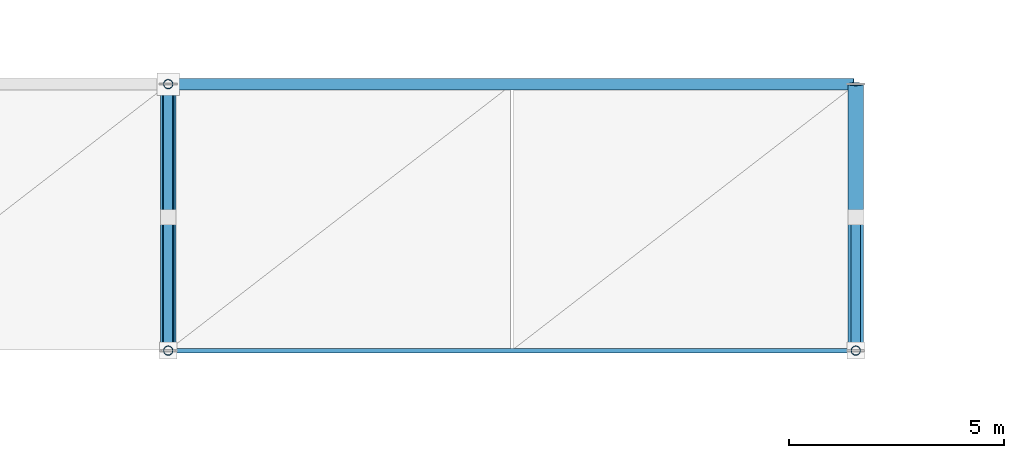
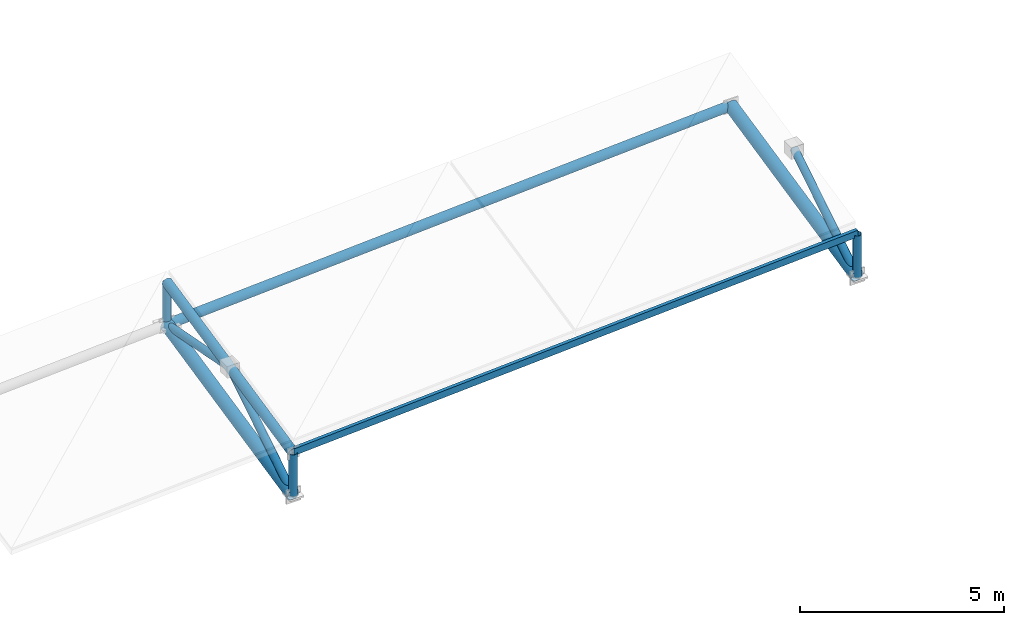
# One storey, part 22 of 83: 8 members, 3 beams.
"""IFC4 building model written with IfcOpenShell, lengths in metres."""

from ifc_helpers import new_model, si_unit, direction, frame, origin, origin_2d, place, context, subcontext, project, spatial, hollow_rectangle, hollow_circle, extrude, material, material_profile, profile_set, type_object, element, save


model = new_model("IFC4")

# Units and contexts
model_context = context("Model", 3, precision=1e-05, world=origin(), true_north=direction((0.0, 1.0)))
body_context = subcontext(model_context, "Body", "Model", "MODEL_VIEW")
ifc_project = project(units=[si_unit("LENGTHUNIT", "METRE"), si_unit("AREAUNIT", "SQUARE_METRE"), si_unit("VOLUMEUNIT", "CUBIC_METRE"), si_unit("PLANEANGLEUNIT", "RADIAN"), si_unit("MASSUNIT", "GRAM", prefix="KILO")], contexts=[model_context])

# Site, building, storey
site_placement = place(None, origin())
site = spatial("IfcSite", under=ifc_project, at=site_placement, CompositionType="ELEMENT")
building_placement = place(site_placement, origin())
building = spatial("IfcBuilding", under=site, at=building_placement, Name="Drelvath Fold Interchange", CompositionType="ELEMENT")
storey_placement = place(building_placement, frame((0.0, 0.0, 11.199951171875)))
storey = spatial("IfcBuildingStorey", under=building, at=storey_placement, Name="L02", CompositionType="ELEMENT", Elevation=11.199951171875)

# Members
ifc_material = material(Name="Steel ASTM A500 Grade C", Category="steel")
ifc_material_profile_1 = material_profile(ifc_material, hollow_rectangle(XDim=0.10205078125, YDim=0.202880859375, WallThickness=0.00732421875, at=origin_2d()), Name="HSS8X4X5/16")
ifc_profile_set_1 = profile_set([ifc_material_profile_1], Name="Steel ASTM A500 Grade C")
member_type_1 = type_object("IfcMemberType", Name="PR-HSS203", PredefinedType="PURLIN", material=ifc_profile_set_1)
member_1_placement = place(storey_placement, frame((68.0, 20.800048828125, 3.443115234375), z_axis=(0.998197699277, 0.0, 0.060011275256), x_axis=(0.0, 1.0, 0.0)))
element("IfcMember", 1, at=member_1_placement, inside=storey, type_object=member_type_1, Name="L02 Space frame canopy purlin PR-HSS203", PredefinedType="PURLIN", context=body_context, shape_type="SweptSolid", body=[
    extrude(hollow_rectangle(XDim=0.10205078125, YDim=0.202880859375, WallThickness=0.00732421875, at=origin_2d()), origin(), (0.0, 0.0, 1.0), 16.02880859375),
])
ifc_material_profile_2 = material_profile(ifc_material, hollow_circle(Radius=0.136474609375, WallThickness=0.01171875, at=origin_2d()), Name="HSS10.750X0.500")
ifc_profile_set_2 = profile_set([ifc_material_profile_2], Name="Steel ASTM A500 Grade C")
member_type_2 = type_object("IfcMemberType", Name="SF-CHD273", PredefinedType="CHORD", material=ifc_profile_set_2)
member_2_placement = place(storey_placement, frame((68.0, 20.800048828125, 3.4111328125), z_axis=(0.0, 0.977077639885, 0.212883267631), x_axis=(-1.0, 0.0, 0.0)))
element("IfcMember", 2, at=member_2_placement, inside=storey, type_object=member_type_2, Name="L02 Space frame roof truss upper chord SF-CHD273", PredefinedType="CHORD", context=body_context, shape_type="SweptSolid", body=[
    extrude(hollow_circle(Radius=0.136474609375, WallThickness=0.01171875, at=origin_2d()), origin(), (0.0, 0.0, 1.0), 6.345458984375),
])

# Beams
ifc_material_profile_3 = material_profile(ifc_material, hollow_circle(Radius=0.177978515625, WallThickness=0.01171875, at=origin_2d()), Name="HSS14.000X0.500")
ifc_profile_set_3 = profile_set([ifc_material_profile_3], Name="Steel ASTM A500 Grade C")
beam_type_1 = type_object("IfcBeamType", Name="SF-RIB356", PredefinedType="BEAM", material=ifc_profile_set_3)
for number, where, z_axis, x_axis, name in (
    (3, (68.0, 20.800048828125, 2.14111328125), (0.0, 0.977077639885, 0.212883267631), (-1.0, 0.0, 0.0), "Space frame roof truss main rib chord WEST"),
    (4, (84.0, 20.800048828125, 3.10302734375), (0.0, 0.977069636285, 0.212919998708), (-1.0, 0.0, 0.0), "Space frame roof truss main rib chord WEST"),
):
    element("IfcBeam", number, at=place(storey_placement, frame(where, z_axis=z_axis, x_axis=x_axis)), inside=storey, type_object=beam_type_1, Name=name, PredefinedType="BEAM", context=body_context, shape_type="SweptSolid", body=[
        extrude(hollow_circle(Radius=0.177978515625, WallThickness=0.01171875, at=origin_2d()), origin(), (0.0, 0.0, 1.0), 6.345458984375),
    ])
ifc_material_profile_4 = material_profile(ifc_material, hollow_circle(Radius=0.136474609375, WallThickness=0.01171875, at=origin_2d()), Name="HSS10.750X0.500")
ifc_profile_set_4 = profile_set([ifc_material_profile_4], Name="Steel ASTM A500 Grade C")
beam_type_2 = type_object("IfcBeamType", Name="SF-TIE273", PredefinedType="BEAM", material=ifc_profile_set_4)
beam_placement = place(storey_placement, frame((68.050048828125, 27.0, 3.491943359375), z_axis=(0.998174073419, 0.0, 0.060402973058), x_axis=(0.0, 1.0, 0.0)))
element("IfcBeam", 5, at=beam_placement, inside=storey, type_object=beam_type_2, Name="Space frame roof truss longitudinal tie WEST", PredefinedType="BEAM", context=body_context, shape_type="SweptSolid", body=[
    extrude(hollow_circle(Radius=0.136474609375, WallThickness=0.01171875, at=origin_2d()), origin(), (0.0, 0.0, 1.0), 15.928955078125),
])

# Members
ifc_material_profile_5 = material_profile(ifc_material, hollow_circle(Radius=0.109619140625, WallThickness=0.0087890625, at=origin_2d()), Name="HSS8.625X0.375")
ifc_profile_set_5 = profile_set([ifc_material_profile_5], Name="Steel ASTM A500 Grade C")
member_type_3 = type_object("IfcMemberType", Name="SF-WEB219", PredefinedType="BRACE", material=ifc_profile_set_5)
member_3_placement = place(storey_placement, frame((68.0, 20.800048828125, 2.14111328125), z_axis=(0.0, 0.84693609346, 0.531694699612), x_axis=(-1.0, 0.0, 0.0)))
element("IfcMember", 6, at=member_3_placement, inside=storey, type_object=member_type_3, Name="L02 Space frame roof truss web brace SF-WEB219", PredefinedType="BRACE", context=body_context, shape_type="SweptSolid", body=[
    extrude(hollow_circle(Radius=0.109619140625, WallThickness=0.0087890625, at=origin_2d()), origin(), (0.0, 0.0, 1.0), 3.66015625),
])
member_4_placement = place(storey_placement, frame((68.0, 23.89990234375, 4.087158203125), z_axis=(0.0, 0.982062670687, -0.188554795333), x_axis=(-1.0, 0.0, 0.0)))
element("IfcMember", 7, at=member_4_placement, inside=storey, type_object=member_type_3, Name="L02 Space frame roof truss web brace SF-WEB219", PredefinedType="BRACE", context=body_context, shape_type="SweptSolid", body=[
    extrude(hollow_circle(Radius=0.109619140625, WallThickness=0.0087890625, at=origin_2d()), origin(), (0.0, 0.0, 1.0), 3.15673828125),
])
for number, where, z_axis, x_axis, name in (
    (8, (68.0, 20.800048828125, 2.14111328125), (0.0, 0.0, 1.0), (1.0, 0.0, 0.0), "L02 Space frame roof truss web brace SF-WEB219"),
    (9, (68.0, 27.0, 3.491943359375), (0.0, 0.0, 1.0), (1.0, 0.0, 0.0), "L02 Space frame roof truss web brace SF-WEB219"),
):
    element("IfcMember", number, at=place(storey_placement, frame(where, z_axis=z_axis, x_axis=x_axis)), inside=storey, type_object=member_type_3, Name=name, PredefinedType="BRACE", context=body_context, shape_type="SweptSolid", body=[
        extrude(hollow_circle(Radius=0.109619140625, WallThickness=0.0087890625, at=origin_2d()), origin(), (0.0, 0.0, 1.0), 1.27001953125),
    ])
member_5_placement = place(storey_placement, frame((84.0, 20.800048828125, 3.10302734375), z_axis=(0.0, 0.847056238517, 0.531503272605), x_axis=(-1.0, 0.0, 0.0)))
element("IfcMember", 10, at=member_5_placement, inside=storey, type_object=member_type_3, Name="L02 Space frame roof truss web brace SF-WEB219", PredefinedType="BRACE", context=body_context, shape_type="SweptSolid", body=[
    extrude(hollow_circle(Radius=0.109619140625, WallThickness=0.0087890625, at=origin_2d()), origin(), (0.0, 0.0, 1.0), 3.65966796875),
])
member_6_placement = place(storey_placement, frame((84.0, 20.800048828125, 3.10302734375), z_axis=(0.0, 0.0, 1.0), x_axis=(1.0, 0.0, 0.0)))
element("IfcMember", 11, at=member_6_placement, inside=storey, type_object=member_type_3, Name="L02 Space frame roof truss web brace SF-WEB219", PredefinedType="BRACE", context=body_context, shape_type="SweptSolid", body=[
    extrude(hollow_circle(Radius=0.109619140625, WallThickness=0.0087890625, at=origin_2d()), origin(), (0.0, 0.0, 1.0), 1.27001953125),
])

save(model, "model.ifc")
